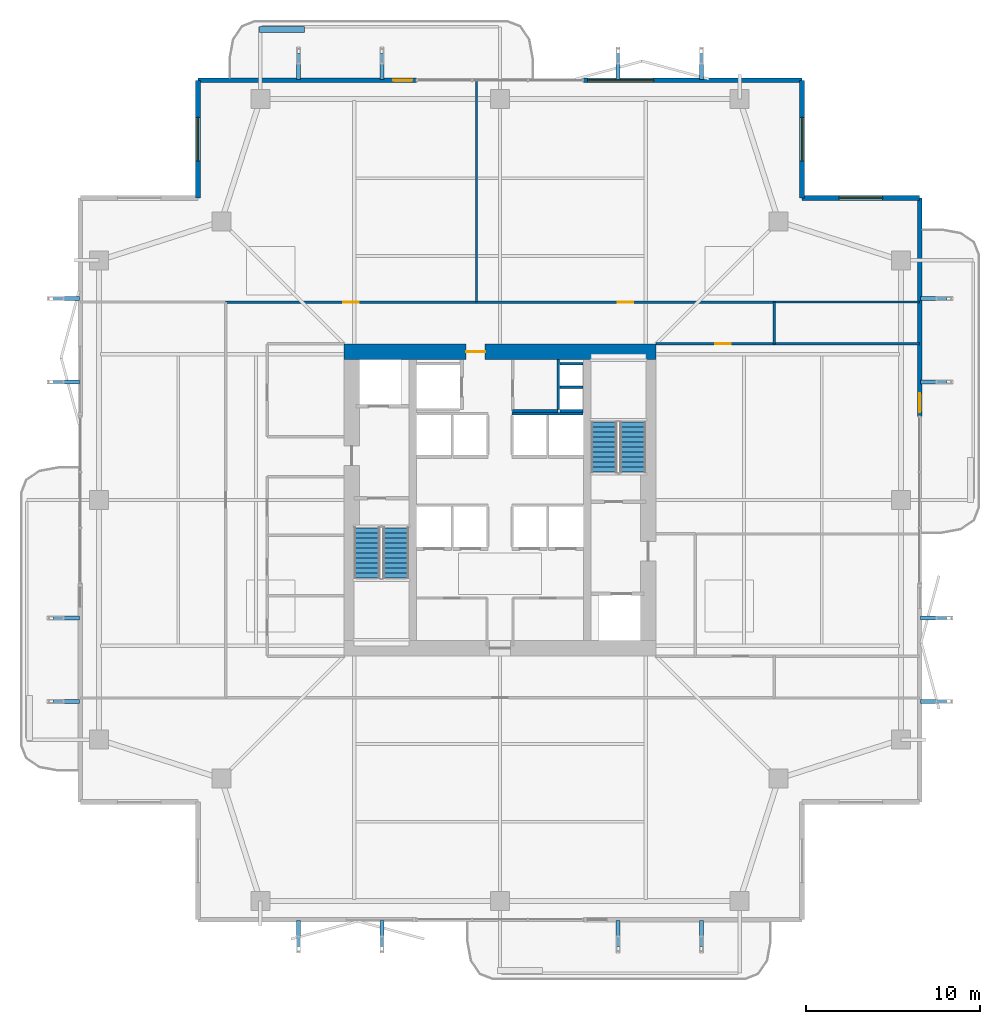
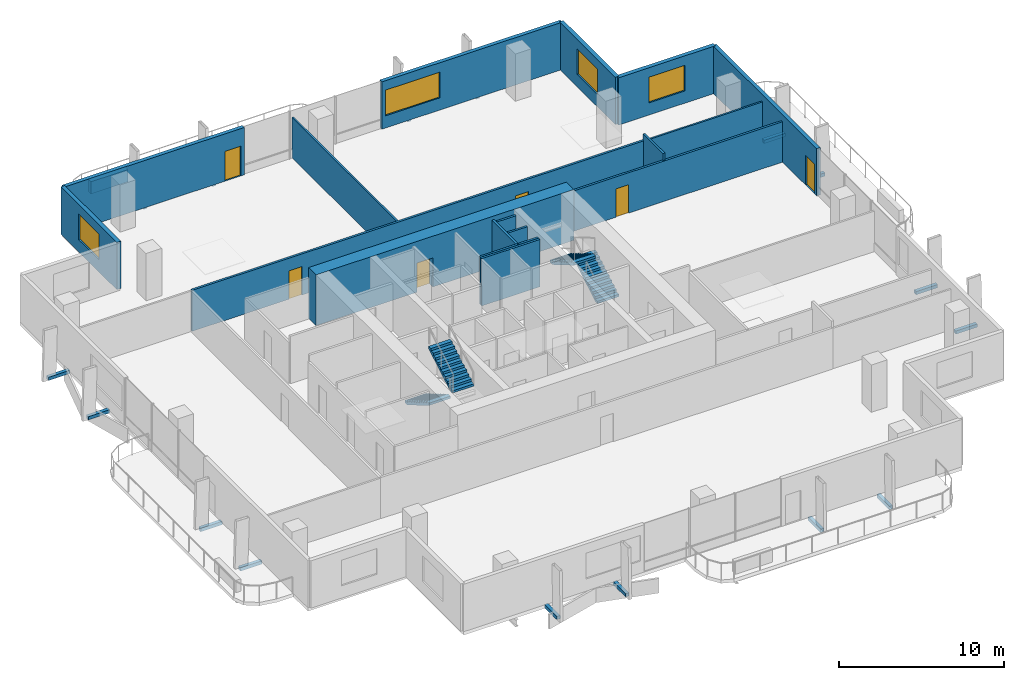
# One storey, part 20 of 23: 19 walls, 16 discrete accessories, 6 doors, 4 stair flights, 4 windows, 10 openings, 2 elements without a shape of their own.
"""IFC4 building model written with IfcOpenShell, lengths in metres."""

from ifc_helpers import new_model, si_unit, direction, frame, frame_2d, origin, origin_2d, place, context, subcontext, project, spatial, polyline, rectangle, outline, extrude, material, layer, layer_set, type_object, element, fill, aggregate, save


model = new_model("IFC4")

# Units and contexts
model_context = context("Model", 3, precision=1e-05, world=origin(), true_north=direction((0.0, 1.0)))
body_context = subcontext(model_context, "Body", "Model", "MODEL_VIEW")
ifc_project = project(units=[si_unit("LENGTHUNIT", "METRE"), si_unit("AREAUNIT", "SQUARE_METRE"), si_unit("VOLUMEUNIT", "CUBIC_METRE"), si_unit("PLANEANGLEUNIT", "RADIAN"), si_unit("MASSUNIT", "GRAM", prefix="KILO")], contexts=[model_context])

# Site, building, storey
site_placement = place(None, origin())
site = spatial("IfcSite", under=ifc_project, at=site_placement, CompositionType="ELEMENT")
building_placement = place(site_placement, origin())
building = spatial("IfcBuilding", under=site, at=building_placement, Name="Belovzor Exchange Tower", CompositionType="ELEMENT")
storey_placement = place(building_placement, frame((0.0, 0.0, 157.050048828125)))
storey = spatial("IfcBuildingStorey", under=building, at=storey_placement, Name="L38", CompositionType="ELEMENT", Elevation=157.050048828125)

# Walls
ifc_material_1 = material(Name="Acoustic Plasterboard on Galvanised Studs", Category="gypsum")
ifc_layer_1 = layer(ifc_material_1, 0.1201171875)
ifc_layer_set_1 = layer_set([ifc_layer_1], Name="Acoustic Plasterboard on Galvanised Studs")
wall_type_1 = type_object("IfcWallType", Name="Acoustic Double-Stud Partition Wall 120", PredefinedType="PARTITIONING", material=ifc_layer_set_1)
wall_1_placement = place(storey_placement, frame((27.449951171875, 40.199951171875, 0.0), z_axis=(0.0, 0.0, 1.0), x_axis=(0.0, 1.0, 0.0)))
element("IfcWall", 1, at=wall_1_placement, inside=storey, type_object=wall_type_1, Name="W-P120 Partition Wall W-L38-NDIV-1", PredefinedType="PARTITIONING", context=body_context, shape_type="SweptSolid", body=[
    extrude(rectangle(XDim=12.77001953125, YDim=0.1201171875, at=frame_2d((6.385009765625, 0.0))), origin(), (0.0, 0.0, 1.0), 2.97998046875),
])
wall_2_placement = place(storey_placement, frame((44.60009765625, 40.199951171875, 0.0), z_axis=(0.0, 0.0, 1.0), x_axis=(1.0, 0.0, 0.0)))
element("IfcWall", 2, at=wall_2_placement, inside=storey, type_object=wall_type_1, Name="W-P120 Partition Wall W-L38-END-NE", PredefinedType="PARTITIONING", context=body_context, shape_type="SweptSolid", body=[
    extrude(rectangle(XDim=8.369873046875, YDim=0.1201171875, at=frame_2d((4.18505859375, 0.0))), origin(), (0.0, 0.0, 1.0), 2.97998046875),
])
ifc_material_2 = material(Name="Fire-Rated Gypsum Block and Mineral Wool", Category="gypsum")
ifc_layer_2 = layer(ifc_material_2, 0.14990234375)
ifc_layer_set_2 = layer_set([ifc_layer_2], Name="Fire-Rated Gypsum Block and Mineral Wool")
wall_type_2 = type_object("IfcWallType", Name="Fire-Rated Gypsum Block Corridor Wall 150", PredefinedType="PARTITIONING", material=ifc_layer_set_2)
wall_3_placement = place(storey_placement, frame((29.52490234375, 33.925048828125, 0.0), z_axis=(0.0, 0.0, 1.0), x_axis=(1.0, 0.0, 0.0)))
element("IfcWall", 3, at=wall_3_placement, inside=storey, type_object=wall_type_2, Name="W-P150 Partition Wall W-CRV-L38-S", PredefinedType="PARTITIONING", context=body_context, shape_type="SweptSolid", body=[
    extrude(rectangle(XDim=2.625, YDim=0.14990234375, at=frame_2d((1.3125, 0.0))), origin(), (0.0, 0.0, 1.0), 3.494873046875),
])
wall_4_placement = place(storey_placement, frame((44.60009765625, 37.800048828125, 0.0), z_axis=(0.0, 0.0, 1.0), x_axis=(0.0, 1.0, 0.0)))
element("IfcWall", 4, at=wall_4_placement, inside=storey, type_object=wall_type_2, Name="W-P150 Partition Wall W-L38-END-EN", PredefinedType="PARTITIONING", context=body_context, shape_type="SweptSolid", body=[
    extrude(rectangle(XDim=2.39990234375, YDim=0.14990234375, at=frame_2d((1.199951171875, 0.0))), origin(), (0.0, 0.0, 1.0), 3.494873046875),
])

# Wall, opening, door
wall_5_placement = place(storey_placement, frame((37.800048828125, 37.800048828125, 0.0), z_axis=(0.0, 0.0, 1.0), x_axis=(1.0, 0.0, 0.0)))
wall_5 = element("IfcWall", 5, at=wall_5_placement, inside=storey, type_object=wall_type_2, Name="W-P150 Partition Wall W-L38-CN-IN", PredefinedType="PARTITIONING", context=body_context, shape_type="SweptSolid", body=[
    extrude(rectangle(XDim=15.169921875, YDim=0.14990234375, at=frame_2d((7.5849609375, 0.0))), origin(), (0.0, 0.0, 1.0), 2.97998046875),
])
opening_1_placement = place(wall_5_placement, frame((3.39990234375, 0.0, 0.0)))
opening_1 = element("IfcOpeningElement", 6, at=opening_1_placement, cuts=wall_5, Name="Opening D-INT-090", PredefinedType="OPENING", context=body_context, shape_type="SweptSolid", body=[
    extrude(rectangle(XDim=0.89990234375, YDim=2.10009765625, at=frame_2d((0.449951171875, 1.050048828125))), frame((0.0, 0.0849609375, 0.0), z_axis=(0.0, -1.0, 0.0), x_axis=(1.0, 0.0, 0.0)), (0.0, 0.0, 1.0), 0.169921875),
])
ifc_material_3 = material(Name="Veneered Hardwood Acoustic Leaf", Category="wood")
door_type_1 = type_object("IfcDoorType", Name="Trading Suite Acoustic Single Door 900x2100", OperationType="NOTDEFINED", PredefinedType="DOOR", material=ifc_material_3)
door_1_placement = place(opening_1_placement, origin())
door_1 = element("IfcDoor", 7, at=door_1_placement, inside=storey, type_object=door_type_1, Name="D-INT-090 Trading Suite Acoustic Single Door 900x2100", OperationType="SINGLE_SWING_RIGHT", OverallHeight=2.10009765625, OverallWidth=0.89990234375, PredefinedType="DOOR", context=body_context, shape_type="SweptSolid", body=[
    extrude(rectangle(XDim=0.89990234375, YDim=2.10009765625, at=frame_2d((0.449951171875, 1.050048828125))), frame((0.0, 0.02490234375, 0.0), z_axis=(0.0, -1.0, 0.0), x_axis=(1.0, 0.0, 0.0)), (0.0, 0.0, 1.0), 0.050048828125),
])
fill(opening_1, door_1)

# Wall, openings, doors
wall_6_placement = place(storey_placement, frame((13.0, 40.199951171875, 0.0), z_axis=(0.0, 0.0, 1.0), x_axis=(1.0, 0.0, 0.0)))
wall_6 = element("IfcWall", 8, at=wall_6_placement, inside=storey, type_object=wall_type_2, Name="W-P150 Partition Wall W-L38-CN", PredefinedType="PARTITIONING", context=body_context, shape_type="SweptSolid", body=[
    extrude(rectangle(XDim=31.60009765625, YDim=0.14990234375, at=frame_2d((15.800048828125, 0.0))), origin(), (0.0, 0.0, 1.0), 3.030029296875),
])
opening_2_placement = place(wall_6_placement, frame((6.77490234375, 0.0, 0.0)))
opening_2 = element("IfcOpeningElement", 9, at=opening_2_placement, cuts=wall_6, Name="Opening D-INT-090", PredefinedType="OPENING", context=body_context, shape_type="SweptSolid", body=[
    extrude(rectangle(XDim=0.89990234375, YDim=2.10009765625, at=frame_2d((0.449951171875, 1.050048828125))), frame((0.0, 0.0849609375, 0.0), z_axis=(0.0, -1.0, 0.0), x_axis=(1.0, 0.0, 0.0)), (0.0, 0.0, 1.0), 0.169921875),
])
opening_3_placement = place(wall_6_placement, frame((22.574951171875, 0.0, 0.0)))
opening_3 = element("IfcOpeningElement", 10, at=opening_3_placement, cuts=wall_6, Name="Opening D-INT-090", PredefinedType="OPENING", context=body_context, shape_type="SweptSolid", body=[
    extrude(rectangle(XDim=0.89990234375, YDim=2.10009765625, at=frame_2d((0.449951171875, 1.050048828125))), frame((0.0, 0.0849609375, 0.0), z_axis=(0.0, -1.0, 0.0), x_axis=(1.0, 0.0, 0.0)), (0.0, 0.0, 1.0), 0.169921875),
])
door_2_placement = place(opening_2_placement, origin())
door_2 = element("IfcDoor", 11, at=door_2_placement, inside=storey, type_object=door_type_1, Name="D-INT-090 Trading Suite Acoustic Single Door 900x2100", OperationType="SINGLE_SWING_RIGHT", OverallHeight=2.10009765625, OverallWidth=0.89990234375, PredefinedType="DOOR", context=body_context, shape_type="SweptSolid", body=[
    extrude(rectangle(XDim=0.89990234375, YDim=2.10009765625, at=frame_2d((0.449951171875, 1.050048828125))), frame((0.0, 0.02490234375, 0.0), z_axis=(0.0, -1.0, 0.0), x_axis=(1.0, 0.0, 0.0)), (0.0, 0.0, 1.0), 0.050048828125),
])
fill(opening_2, door_2)
door_3_placement = place(opening_3_placement, origin())
door_3 = element("IfcDoor", 12, at=door_3_placement, inside=storey, type_object=door_type_1, Name="D-INT-090 Trading Suite Acoustic Single Door 900x2100", OperationType="SINGLE_SWING_LEFT", OverallHeight=2.10009765625, OverallWidth=0.89990234375, PredefinedType="DOOR", context=body_context, shape_type="SweptSolid", body=[
    extrude(rectangle(XDim=0.89990234375, YDim=2.10009765625, at=frame_2d((0.449951171875, 1.050048828125))), frame((0.0, 0.02490234375, 0.0), z_axis=(0.0, -1.0, 0.0), x_axis=(1.0, 0.0, 0.0)), (0.0, 0.0, 1.0), 0.050048828125),
])
fill(opening_3, door_3)

# Wall, opening, window
ifc_material_4 = material(Name="Precast concrete C40/50", Category="concrete")
ifc_layer_3 = layer(ifc_material_4, 0.280029296875)
ifc_layer_set_3 = layer_set([ifc_layer_3], Name="Precast concrete C40/50")
wall_type_3 = type_object("IfcWallType", Name="Precast Concrete Notched Corner Frame Wall 280", PredefinedType="SOLIDWALL", material=ifc_layer_set_3)
wall_7_placement = place(storey_placement, frame((11.39990234375, 46.199951171875, 0.0), z_axis=(0.0, 0.0, 1.0), x_axis=(0.0, 1.0, 0.0)))
wall_7 = element("IfcWall", 13, at=wall_7_placement, inside=storey, type_object=wall_type_3, Name="W-CRN280 Precast Concrete Notched Corner Frame Wall 280 L38", PredefinedType="SOLIDWALL", context=body_context, shape_type="SweptSolid", body=[
    extrude(rectangle(XDim=6.77001953125, YDim=0.280029296875, at=frame_2d((3.385009765625, 0.0))), origin(), (0.0, 0.0, 1.0), 3.494873046875),
])
opening_4_placement = place(wall_7_placement, frame((2.135009765625, 0.0, 0.89990234375)))
opening_4 = element("IfcOpeningElement", 14, at=opening_4_placement, cuts=wall_7, Name="Opening WN-CRN250", PredefinedType="OPENING", context=body_context, shape_type="SweptSolid", body=[
    extrude(rectangle(XDim=2.5, YDim=1.89990234375, at=frame_2d((1.25, 0.949951171875))), frame((0.0, 0.14990234375, 0.0), z_axis=(0.0, -1.0, 0.0), x_axis=(1.0, 0.0, 0.0)), (0.0, 0.0, 1.0), 0.300048828125),
])
ifc_material_5 = material(Name="Thermally Broken Aluminium and Triple Glazing", Category="aluminium")
window_type_1 = type_object("IfcWindowType", Name="Streamline Moderne Corner Wrap Ribbon Window 2500x1900", PartitioningType="SINGLE_PANEL", PredefinedType="WINDOW", material=ifc_material_5)
window_1_placement = place(opening_4_placement, origin())
window_1 = element("IfcWindow", 15, at=window_1_placement, inside=storey, type_object=window_type_1, Name="WN-CRN250 Streamline Moderne Corner Wrap Ribbon Window 2500x1900", OverallHeight=1.89990234375, OverallWidth=2.5, PartitioningType="SINGLE_PANEL", PredefinedType="WINDOW", context=body_context, shape_type="SweptSolid", body=[
    extrude(rectangle(XDim=2.5, YDim=1.89990234375, at=frame_2d((1.25, 0.949951171875))), frame((0.0, 0.030029296875, 0.0), z_axis=(0.0, -1.0, 0.0), x_axis=(1.0, 0.0, 0.0)), (0.0, 0.0, 1.0), 0.06005859375),
])
fill(opening_4, window_1)

wall_8_placement = place(storey_placement, frame((46.199951171875, 52.969970703125, 0.0), z_axis=(0.0, 0.0, 1.0), x_axis=(0.0, -1.0, 0.0)))
wall_8 = element("IfcWall", 16, at=wall_8_placement, inside=storey, type_object=wall_type_3, Name="W-CRN280 Precast Concrete Notched Corner Frame Wall 280 L38", PredefinedType="SOLIDWALL", context=body_context, shape_type="SweptSolid", body=[
    extrude(rectangle(XDim=6.77001953125, YDim=0.280029296875, at=frame_2d((3.385009765625, 0.0))), origin(), (0.0, 0.0, 1.0), 3.494873046875),
])
opening_5_placement = place(wall_8_placement, frame((2.135009765625, 0.0, 0.89990234375)))
opening_5 = element("IfcOpeningElement", 17, at=opening_5_placement, cuts=wall_8, Name="Opening WN-CRN250", PredefinedType="OPENING", context=body_context, shape_type="SweptSolid", body=[
    extrude(rectangle(XDim=2.5, YDim=1.89990234375, at=frame_2d((1.25, 0.949951171875))), frame((0.0, 0.14990234375, 0.0), z_axis=(0.0, -1.0, 0.0), x_axis=(1.0, 0.0, 0.0)), (0.0, 0.0, 1.0), 0.300048828125),
])
window_2_placement = place(opening_5_placement, origin())
window_2 = element("IfcWindow", 18, at=window_2_placement, inside=storey, type_object=window_type_1, Name="WN-CRN250 Streamline Moderne Corner Wrap Ribbon Window 2500x1900", OverallHeight=1.89990234375, OverallWidth=2.5, PartitioningType="SINGLE_PANEL", PredefinedType="WINDOW", context=body_context, shape_type="SweptSolid", body=[
    extrude(rectangle(XDim=2.5, YDim=1.89990234375, at=frame_2d((1.25, 0.949951171875))), frame((0.0, 0.030029296875, 0.0), z_axis=(0.0, -1.0, 0.0), x_axis=(1.0, 0.0, 0.0)), (0.0, 0.0, 1.0), 0.06005859375),
])
fill(opening_5, window_2)

wall_9_placement = place(storey_placement, frame((46.199951171875, 46.199951171875, 0.0), z_axis=(0.0, 0.0, 1.0), x_axis=(1.0, 0.0, 0.0)))
wall_9 = element("IfcWall", 19, at=wall_9_placement, inside=storey, type_object=wall_type_3, Name="W-CRN280 Precast Concrete Notched Corner Frame Wall 280 L38", PredefinedType="SOLIDWALL", context=body_context, shape_type="SweptSolid", body=[
    extrude(rectangle(XDim=6.77001953125, YDim=0.280029296875, at=frame_2d((3.385009765625, 0.0))), origin(), (0.0, 0.0, 1.0), 3.494873046875),
])
opening_6_placement = place(wall_9_placement, frame((2.135009765625, 0.0, 0.89990234375)))
opening_6 = element("IfcOpeningElement", 20, at=opening_6_placement, cuts=wall_9, Name="Opening WN-CRN250", PredefinedType="OPENING", context=body_context, shape_type="SweptSolid", body=[
    extrude(rectangle(XDim=2.5, YDim=1.89990234375, at=frame_2d((1.25, 0.949951171875))), frame((0.0, 0.14990234375, 0.0), z_axis=(0.0, -1.0, 0.0), x_axis=(1.0, 0.0, 0.0)), (0.0, 0.0, 1.0), 0.300048828125),
])
window_3_placement = place(opening_6_placement, origin())
window_3 = element("IfcWindow", 21, at=window_3_placement, inside=storey, type_object=window_type_1, Name="WN-CRN250 Streamline Moderne Corner Wrap Ribbon Window 2500x1900", OverallHeight=1.89990234375, OverallWidth=2.5, PartitioningType="SINGLE_PANEL", PredefinedType="WINDOW", context=body_context, shape_type="SweptSolid", body=[
    extrude(rectangle(XDim=2.5, YDim=1.89990234375, at=frame_2d((1.25, 0.949951171875))), frame((0.0, 0.030029296875, 0.0), z_axis=(0.0, -1.0, 0.0), x_axis=(1.0, 0.0, 0.0)), (0.0, 0.0, 1.0), 0.06005859375),
])
fill(opening_6, window_3)

# Wall, opening, door
ifc_material_6 = material(Name="Precast concrete C40/50", Category="concrete")
ifc_layer_4 = layer(ifc_material_6, 0.260009765625)
ifc_layer_set_4 = layer_set([ifc_layer_4], Name="Precast concrete C40/50")
wall_type_4 = type_object("IfcWallType", Name="Precast Concrete Perimeter Loggia Frame Wall 260", PredefinedType="SOLIDWALL", material=ifc_layer_set_4)
wall_10_placement = place(storey_placement, frame((11.39990234375, 52.969970703125, 0.0), z_axis=(0.0, 0.0, 1.0), x_axis=(1.0, 0.0, 0.0)))
wall_10 = element("IfcWall", 22, at=wall_10_placement, inside=storey, type_object=wall_type_4, Name="W-EXT260 Precast Concrete Perimeter Loggia Frame Wall 260 L38", PredefinedType="SOLIDWALL", context=body_context, shape_type="SweptSolid", body=[
    extrude(rectangle(XDim=12.60009765625, YDim=0.260009765625, at=frame_2d((6.300048828125, 0.0))), origin(), (0.0, 0.0, 1.0), 3.494873046875),
])
opening_7_placement = place(wall_10_placement, frame((11.25, 0.0, 0.0)))
opening_7 = element("IfcOpeningElement", 23, at=opening_7_placement, cuts=wall_10, Name="Opening D-BAL110", PredefinedType="OPENING", context=body_context, shape_type="SweptSolid", body=[
    extrude(rectangle(XDim=1.10009765625, YDim=2.199951171875, at=frame_2d((0.550048828125, 1.10009765625))), frame((0.0, 0.139892578125, 0.0), z_axis=(0.0, -1.0, 0.0), x_axis=(1.0, 0.0, 0.0)), (0.0, 0.0, 1.0), 0.280029296875),
])
ifc_material_7 = material(Name="Thermally Broken Anodised Aluminium and Laminated Glass", Category="aluminium")
door_type_2 = type_object("IfcDoorType", Name="Planted Loggia Terrace Glazed Door 1100x2200", OperationType="SINGLE_SWING_LEFT", PredefinedType="DOOR", material=ifc_material_7)
door_4_placement = place(opening_7_placement, origin())
door_4 = element("IfcDoor", 24, at=door_4_placement, inside=storey, type_object=door_type_2, Name="D-BAL110 Balcony Terrace Door L38 N", OperationType="SINGLE_SWING_RIGHT", OverallHeight=2.199951171875, OverallWidth=1.10009765625, PredefinedType="DOOR", context=body_context, shape_type="SweptSolid", body=[
    extrude(rectangle(XDim=1.10009765625, YDim=2.199951171875, at=frame_2d((0.550048828125, 1.10009765625))), frame((0.0, 0.02490234375, 0.0), z_axis=(0.0, -1.0, 0.0), x_axis=(1.0, 0.0, 0.0)), (0.0, 0.0, 1.0), 0.050048828125),
])
fill(opening_7, door_4)

# Wall, opening, window
wall_11_placement = place(storey_placement, frame((33.60009765625, 52.969970703125, 0.0), z_axis=(0.0, 0.0, 1.0), x_axis=(1.0, 0.0, 0.0)))
wall_11 = element("IfcWall", 25, at=wall_11_placement, inside=storey, type_object=wall_type_4, Name="W-EXT260 Precast Concrete Perimeter Loggia Frame Wall 260 L38", PredefinedType="SOLIDWALL", context=body_context, shape_type="SweptSolid", body=[
    extrude(rectangle(XDim=12.599853515625, YDim=0.260009765625, at=frame_2d((6.2998046875, 0.0))), origin(), (0.0, 0.0, 1.0), 3.494873046875),
])
opening_8_placement = place(wall_11_placement, frame((0.25, 0.0, 0.89990234375)))
opening_8 = element("IfcOpeningElement", 26, at=opening_8_placement, cuts=wall_11, Name="Opening WN-RIB380", PredefinedType="OPENING", context=body_context, shape_type="SweptSolid", body=[
    extrude(rectangle(XDim=3.800048828125, YDim=1.89990234375, at=frame_2d((1.89990234375, 0.949951171875))), frame((0.0, 0.139892578125, 0.0), z_axis=(0.0, -1.0, 0.0), x_axis=(1.0, 0.0, 0.0)), (0.0, 0.0, 1.0), 0.280029296875),
])
ifc_material_8 = material(Name="Thermally Broken Aluminium and Triple Glazing", Category="aluminium")
window_type_2 = type_object("IfcWindowType", Name="Streamline Moderne Horizontal Ribbon Window 3800x1900", PartitioningType="SINGLE_PANEL", PredefinedType="WINDOW", material=ifc_material_8)
window_4_placement = place(opening_8_placement, origin())
window_4 = element("IfcWindow", 27, at=window_4_placement, inside=storey, type_object=window_type_2, Name="WN-RIB380 Streamline Moderne Horizontal Ribbon Window 3800x1900", OverallHeight=1.89990234375, OverallWidth=3.800048828125, PartitioningType="SINGLE_PANEL", PredefinedType="WINDOW", context=body_context, shape_type="SweptSolid", body=[
    extrude(rectangle(XDim=3.800048828125, YDim=1.89990234375, at=frame_2d((1.89990234375, 0.949951171875))), frame((0.0, 0.030029296875, 0.0), z_axis=(0.0, -1.0, 0.0), x_axis=(1.0, 0.0, 0.0)), (0.0, 0.0, 1.0), 0.06005859375),
])
fill(opening_8, window_4)

# Wall, opening, door
wall_12_placement = place(storey_placement, frame((52.969970703125, 46.199951171875, 0.0), z_axis=(0.0, 0.0, 1.0), x_axis=(0.0, -1.0, 0.0)))
wall_12 = element("IfcWall", 28, at=wall_12_placement, inside=storey, type_object=wall_type_4, Name="W-EXT260 Precast Concrete Perimeter Loggia Frame Wall 260 L38", PredefinedType="SOLIDWALL", context=body_context, shape_type="SweptSolid", body=[
    extrude(rectangle(XDim=12.599853515625, YDim=0.260009765625, at=frame_2d((6.2998046875, 0.0))), origin(), (0.0, 0.0, 1.0), 3.494873046875),
])
opening_9_placement = place(wall_12_placement, frame((11.25, 0.0, 0.0)))
opening_9 = element("IfcOpeningElement", 29, at=opening_9_placement, cuts=wall_12, Name="Opening D-BAL110", PredefinedType="OPENING", context=body_context, shape_type="SweptSolid", body=[
    extrude(rectangle(XDim=1.10009765625, YDim=2.199951171875, at=frame_2d((0.550048828125, 1.10009765625))), frame((0.0, 0.139892578125, 0.0), z_axis=(0.0, -1.0, 0.0), x_axis=(1.0, 0.0, 0.0)), (0.0, 0.0, 1.0), 0.280029296875),
])
door_5_placement = place(opening_9_placement, origin())
door_5 = element("IfcDoor", 30, at=door_5_placement, inside=storey, type_object=door_type_2, Name="D-BAL110 Balcony Terrace Door L38 E", OperationType="SINGLE_SWING_LEFT", OverallHeight=2.199951171875, OverallWidth=1.10009765625, PredefinedType="DOOR", context=body_context, shape_type="SweptSolid", body=[
    extrude(rectangle(XDim=1.10009765625, YDim=2.199951171875, at=frame_2d((0.550048828125, 1.10009765625))), frame((0.0, 0.02490234375, 0.0), z_axis=(0.0, -1.0, 0.0), x_axis=(1.0, 0.0, 0.0)), (0.0, 0.0, 1.0), 0.050048828125),
])
fill(opening_9, door_5)

# Walls
ifc_material_9 = material(Name="Precast concrete C40/50", Category="concrete")
ifc_layer_5 = layer(ifc_material_9, 0.35009765625)
ifc_layer_set_5 = layer_set([ifc_layer_5], Name="Precast concrete C40/50")
wall_type_5 = type_object("IfcWallType", Name="Precast Concrete Structural Tree Planter Trough 350", PredefinedType="PARAPET", material=ifc_layer_set_5)
wall_13_placement = place(storey_placement, frame((14.949951171875, 55.89990234375, 0.0), z_axis=(0.0, 0.0, 1.0), x_axis=(1.0, 0.0, 0.0)))
element("IfcWall", 31, at=wall_13_placement, inside=storey, type_object=wall_type_5, Name="PT-350 Precast Concrete Structural Tree Planter Trough 350 L38", PredefinedType="PARAPET", context=body_context, shape_type="SweptSolid", body=[
    extrude(rectangle(XDim=2.60009765625, YDim=0.35009765625, at=frame_2d((1.300048828125, 0.0))), origin(), (0.0, 0.0, 1.0), 0.89990234375),
])
ifc_material_10 = material(Name="Concrete C50/60", Category="concrete")
ifc_layer_6 = layer(ifc_material_10, 0.14990234375)
ifc_layer_set_6 = layer_set([ifc_layer_6], Name="Concrete C50/60")
wall_type_6 = type_object("IfcWallType", Name="Reinforced Concrete Core Riser Shear Wall 150", PredefinedType="SHEAR", material=ifc_layer_set_6)
wall_14_placement = place(storey_placement, frame((32.14990234375, 34.0, 0.0), z_axis=(0.0, 0.0, 1.0), x_axis=(0.0, 1.0, 0.0)))
element("IfcWall", 32, at=wall_14_placement, inside=storey, type_object=wall_type_6, Name="W-C150S Core Shaft Wall W-RSR-L38-E", PredefinedType="SHEAR", context=body_context, shape_type="SweptSolid", body=[
    extrude(rectangle(XDim=2.89990234375, YDim=0.14990234375, at=frame_2d((1.449951171875, 0.0))), origin(), (0.0, 0.0, 1.0), 3.494873046875),
])
for number, where, z_axis, x_axis, name in (
    (33, (32.25, 33.925048828125, 0.0), (0.0, 0.0, 1.0), (1.0, 0.0, 0.0), "W-C150S Core Shaft Wall W-RSR-L38-S"),
    (34, (32.25, 35.300048828125, 0.0), (0.0, 0.0, 1.0), (1.0, 0.0, 0.0), "W-C150S Core Shaft Wall W-RSR-L38-M"),
    (35, (32.25, 36.64990234375, 0.0), (0.0, 0.0, 1.0), (1.0, 0.0, 0.0), "W-C150S Core Shaft Wall W-RSR-L38-N"),
):
    element("IfcWall", number, at=place(storey_placement, frame(where, z_axis=z_axis, x_axis=x_axis)), inside=storey, type_object=wall_type_6, Name=name, PredefinedType="SHEAR", context=body_context, shape_type="SweptSolid", body=[
        extrude(rectangle(XDim=1.330078125, YDim=0.14990234375, at=frame_2d((0.6650390625, 0.0))), origin(), (0.0, 0.0, 1.0), 3.494873046875),
    ])
wall_15_placement = place(storey_placement, frame((29.5, 33.760009765625, 0.0), z_axis=(0.0, 0.0, 1.0), x_axis=(1.0, 0.0, 0.0)))
element("IfcWall", 36, at=wall_15_placement, inside=storey, type_object=wall_type_6, Name="W-C150S Core Shaft Wall W-SHB-L38-PLH-NE", PredefinedType="SHEAR", context=body_context, shape_type="SweptSolid", body=[
    extrude(rectangle(XDim=4.080078125, YDim=0.14990234375, at=frame_2d((2.0400390625, 0.0))), origin(), (0.0, 0.0, 1.0), 3.494873046875),
])

# Wall, opening, door
ifc_material_11 = material(Name="Concrete C60/75", Category="concrete")
ifc_layer_7 = layer(ifc_material_11, 0.89990234375)
ifc_layer_set_7 = layer_set([ifc_layer_7], Name="Concrete C60/75")
wall_type_7 = type_object("IfcWallType", Name="Reinforced Concrete Core Shear Wall 900", PredefinedType="SHEAR", material=ifc_layer_set_7)
wall_16_placement = place(storey_placement, frame((19.800048828125, 37.35009765625, 0.0), z_axis=(0.0, 0.0, 1.0), x_axis=(1.0, 0.0, 0.0)))
wall_16 = element("IfcWall", 37, at=wall_16_placement, inside=storey, type_object=wall_type_7, Name="CW-S090 Core Shear Wall L38 N", PredefinedType="SHEAR", context=body_context, shape_type="SweptSolid", body=[
    extrude(rectangle(XDim=18.0, YDim=0.89990234375, at=frame_2d((9.0, 0.0))), origin(), (0.0, 0.0, 1.0), 3.75),
])
opening_10_placement = place(wall_16_placement, frame((7.050048828125, 0.0, 0.0)))
opening_10 = element("IfcOpeningElement", 38, at=opening_10_placement, cuts=wall_16, Name="Opening D-FD90-110", PredefinedType="OPENING", context=body_context, shape_type="SweptSolid", body=[
    extrude(rectangle(XDim=1.10009765625, YDim=2.14990234375, at=frame_2d((0.550048828125, 1.074951171875))), frame((0.0, 0.4599609375, 0.0), z_axis=(0.0, -1.0, 0.0), x_axis=(1.0, 0.0, 0.0)), (0.0, 0.0, 1.0), 0.919921875),
])
ifc_material_12 = material(Name="Fire-Rated Galvanised Steel Leaf", Category="steel")
door_type_3 = type_object("IfcDoorType", Name="Protected Escape Vestibule Fire Door 1100x2150", OperationType="NOTDEFINED", PredefinedType="DOOR", material=ifc_material_12)
door_6_placement = place(opening_10_placement, origin())
door_6 = element("IfcDoor", 39, at=door_6_placement, inside=storey, type_object=door_type_3, Name="D-FD90-110 Protected Escape Vestibule Fire Door 1100x2150", OperationType="SINGLE_SWING_RIGHT", OverallHeight=2.14990234375, OverallWidth=1.10009765625, PredefinedType="DOOR", context=body_context, shape_type="SweptSolid", body=[
    extrude(rectangle(XDim=1.10009765625, YDim=2.14990234375, at=frame_2d((0.550048828125, 1.074951171875))), frame((0.0, 0.02490234375, 0.0), z_axis=(0.0, -1.0, 0.0), x_axis=(1.0, 0.0, 0.0)), (0.0, 0.0, 1.0), 0.050048828125),
])
fill(opening_10, door_6)

# Stair, stair flights
ifc_material_13 = material(Name="Concrete C40/50", Category="concrete")
stair_type = type_object("IfcStairType", Name="Reinforced Concrete Dogleg Escape Stair 1350", PredefinedType="HALF_TURN_STAIR", material=ifc_material_13)
stair_1_placement = place(storey_placement, origin())
stair_1 = element("IfcStair", 40, at=stair_1_placement, inside=storey, type_object=stair_type, Name="L38 ST-1", PredefinedType="HALF_TURN_STAIR")
ifc_material_14 = material(Name="Concrete C40/50", Category="concrete")
stair_flight_type = type_object("IfcStairFlightType", Name="Reinforced Concrete Stair Flight 1350", PredefinedType="STRAIGHT", material=ifc_material_14)
stair_flight_1_placement = place(storey_placement, frame((21.14990234375, 27.199951171875, 0.0), z_axis=(0.0, 0.0, 1.0), x_axis=(0.0, -1.0, 0.0)))
stair_flight_1 = element("IfcStairFlight", 41, at=stair_flight_1_placement, type_object=stair_flight_type, Name="ST-1 flight 1", NumberOfRisers=11, NumberOfTreads=10, PredefinedType="STRAIGHT", RiserHeight=0.170454545, TreadLength=0.29, context=body_context, shape_type="SweptSolid", body=[
    extrude(outline(polyline([(0.0, 0.0), (0.0, 0.17041015625), (0.2900390625, 0.17041015625), (0.2900390625, 0.3408203125), (0.580078125, 0.3408203125), (0.580078125, 0.511474609375), (0.8701171875, 0.511474609375), (0.8701171875, 0.681884765625), (1.159912109375, 0.681884765625), (1.159912109375, 0.852294921875), (1.449951171875, 0.852294921875), (1.449951171875, 1.022705078125), (1.739990234375, 1.022705078125), (1.739990234375, 1.193115234375), (2.030029296875, 1.193115234375), (2.030029296875, 1.363525390625), (2.320068359375, 1.363525390625), (2.320068359375, 1.5341796875), (2.610107421875, 1.5341796875), (2.610107421875, 1.70458984375), (2.89990234375, 1.70458984375), (2.89990234375, 1.875), (2.89990234375, 1.53076171875), (0.2958984375, 0.0), (0.0, 0.0)])), frame((0.0, 0.75, 0.0), z_axis=(0.0, -1.0, 0.0), x_axis=(1.0, 0.0, 0.0)), (0.0, 0.0, 1.0), 1.5),
])
stair_flight_2_placement = place(storey_placement, frame((22.800048828125, 24.300048828125, 1.875), z_axis=(0.0, 0.0, 1.0), x_axis=(0.0, 1.0, 0.0)))
stair_flight_2 = element("IfcStairFlight", 42, at=stair_flight_2_placement, type_object=stair_flight_type, Name="ST-1 flight 2", NumberOfRisers=11, NumberOfTreads=10, PredefinedType="STRAIGHT", RiserHeight=0.170454545, TreadLength=0.29, context=body_context, shape_type="SweptSolid", body=[
    extrude(outline(polyline([(0.0, 0.0), (0.0, 0.17041015625), (0.2900390625, 0.17041015625), (0.2900390625, 0.3408203125), (0.580078125, 0.3408203125), (0.580078125, 0.511474609375), (0.8701171875, 0.511474609375), (0.8701171875, 0.681884765625), (1.159912109375, 0.681884765625), (1.159912109375, 0.852294921875), (1.449951171875, 0.852294921875), (1.449951171875, 1.022705078125), (1.739990234375, 1.022705078125), (1.739990234375, 1.193115234375), (2.030029296875, 1.193115234375), (2.030029296875, 1.363525390625), (2.320068359375, 1.363525390625), (2.320068359375, 1.5341796875), (2.610107421875, 1.5341796875), (2.610107421875, 1.70458984375), (2.89990234375, 1.70458984375), (2.89990234375, 1.875), (2.89990234375, 1.53076171875), (0.2958984375, 0.0), (0.0, 0.0)])), frame((0.0, 0.75, 0.0), z_axis=(0.0, -1.0, 0.0), x_axis=(1.0, 0.0, 0.0)), (0.0, 0.0, 1.0), 1.5),
])
aggregate(stair_1, [stair_flight_1, stair_flight_2])

stair_2_placement = place(storey_placement, origin())
stair_2 = element("IfcStair", 43, at=stair_2_placement, inside=storey, type_object=stair_type, Name="L38 ST-2", PredefinedType="HALF_TURN_STAIR")
stair_flight_3_placement = place(storey_placement, frame((36.449951171875, 30.39990234375, 0.0), z_axis=(0.0, 0.0, 1.0), x_axis=(0.0, 1.0, 0.0)))
stair_flight_3 = element("IfcStairFlight", 44, at=stair_flight_3_placement, type_object=stair_flight_type, Name="ST-2 flight 1", NumberOfRisers=11, NumberOfTreads=10, PredefinedType="STRAIGHT", RiserHeight=0.170454545, TreadLength=0.29, context=body_context, shape_type="SweptSolid", body=[
    extrude(outline(polyline([(0.0, 0.0), (0.0, 0.17041015625), (0.2900390625, 0.17041015625), (0.2900390625, 0.3408203125), (0.580078125, 0.3408203125), (0.580078125, 0.511474609375), (0.8701171875, 0.511474609375), (0.8701171875, 0.681884765625), (1.159912109375, 0.681884765625), (1.159912109375, 0.852294921875), (1.449951171875, 0.852294921875), (1.449951171875, 1.022705078125), (1.739990234375, 1.022705078125), (1.739990234375, 1.193115234375), (2.030029296875, 1.193115234375), (2.030029296875, 1.363525390625), (2.320068359375, 1.363525390625), (2.320068359375, 1.5341796875), (2.610107421875, 1.5341796875), (2.610107421875, 1.70458984375), (2.89990234375, 1.70458984375), (2.89990234375, 1.875), (2.89990234375, 1.53076171875), (0.2958984375, 0.0), (0.0, 0.0)])), frame((0.0, 0.75, 0.0), z_axis=(0.0, -1.0, 0.0), x_axis=(1.0, 0.0, 0.0)), (0.0, 0.0, 1.0), 1.5),
])
stair_flight_4_placement = place(storey_placement, frame((34.800048828125, 33.300048828125, 1.875), z_axis=(0.0, 0.0, 1.0), x_axis=(0.0, -1.0, 0.0)))
stair_flight_4 = element("IfcStairFlight", 45, at=stair_flight_4_placement, type_object=stair_flight_type, Name="ST-2 flight 2", NumberOfRisers=11, NumberOfTreads=10, PredefinedType="STRAIGHT", RiserHeight=0.170454545, TreadLength=0.29, context=body_context, shape_type="SweptSolid", body=[
    extrude(outline(polyline([(0.0, 0.0), (0.0, 0.17041015625), (0.2900390625, 0.17041015625), (0.2900390625, 0.3408203125), (0.580078125, 0.3408203125), (0.580078125, 0.511474609375), (0.8701171875, 0.511474609375), (0.8701171875, 0.681884765625), (1.159912109375, 0.681884765625), (1.159912109375, 0.852294921875), (1.449951171875, 0.852294921875), (1.449951171875, 1.022705078125), (1.739990234375, 1.022705078125), (1.739990234375, 1.193115234375), (2.030029296875, 1.193115234375), (2.030029296875, 1.363525390625), (2.320068359375, 1.363525390625), (2.320068359375, 1.5341796875), (2.610107421875, 1.5341796875), (2.610107421875, 1.70458984375), (2.89990234375, 1.70458984375), (2.89990234375, 1.875), (2.89990234375, 1.53076171875), (0.2958984375, 0.0), (0.0, 0.0)])), frame((0.0, 0.75, 0.0), z_axis=(0.0, -1.0, 0.0), x_axis=(1.0, 0.0, 0.0)), (0.0, 0.0, 1.0), 1.5),
])
aggregate(stair_2, [stair_flight_3, stair_flight_4])

# Discrete accessories
ifc_material_15 = material(Name="Stainless Steel Grade 316", Category="steel")
ifc_layer_8 = layer(ifc_material_15, 0.179931640625)
ifc_layer_set_8 = layer_set([ifc_layer_8], Name="Stainless Steel Grade 316")
discrete_accessory_type = type_object("IfcDiscreteAccessoryType", Name="Stainless Steel Facade Outrigger Fixing Bracket", PredefinedType="BRACKET", material=ifc_layer_set_8)
for number, where, z_axis, x_axis, name in (
    (46, (17.199951171875, 3.8291015625, -0.2470703125), (0.0, 0.0, 1.0), (0.0, 1.0, 0.0), "BRK-FIN1 Sweeping Fin Outrigger Bracket L38 S1"),
    (47, (17.199951171875, 53.77197265625, -0.2470703125), (0.0, 0.0, 1.0), (0.0, 1.0, 0.0), "BRK-FIN1 Sweeping Fin Outrigger Bracket L38 N1"),
    (48, (3.8291015625, 17.199951171875, -0.2470703125), (0.0, 0.0, 1.0), (1.0, 0.0, 0.0), "BRK-FIN1 Sweeping Fin Outrigger Bracket L38 W1"),
    (49, (53.77197265625, 17.199951171875, -0.2470703125), (0.0, 0.0, 1.0), (1.0, 0.0, 0.0), "BRK-FIN1 Sweeping Fin Outrigger Bracket L38 E1"),
    (50, (22.0, 3.8291015625, -0.2470703125), (0.0, 0.0, 1.0), (0.0, 1.0, 0.0), "BRK-FIN1 Sweeping Fin Outrigger Bracket L38 S2"),
    (51, (22.0, 53.77197265625, -0.2470703125), (0.0, 0.0, 1.0), (0.0, 1.0, 0.0), "BRK-FIN1 Sweeping Fin Outrigger Bracket L38 N2"),
    (52, (3.8291015625, 22.0, -0.2470703125), (0.0, 0.0, 1.0), (1.0, 0.0, 0.0), "BRK-FIN1 Sweeping Fin Outrigger Bracket L38 W2"),
    (53, (53.77197265625, 22.0, -0.2470703125), (0.0, 0.0, 1.0), (1.0, 0.0, 0.0), "BRK-FIN1 Sweeping Fin Outrigger Bracket L38 E2"),
    (54, (35.60009765625, 3.8291015625, -0.2470703125), (0.0, 0.0, 1.0), (0.0, 1.0, 0.0), "BRK-FIN1 Sweeping Fin Outrigger Bracket L38 S3"),
    (55, (35.60009765625, 53.77197265625, -0.2470703125), (0.0, 0.0, 1.0), (0.0, 1.0, 0.0), "BRK-FIN1 Sweeping Fin Outrigger Bracket L38 N3"),
    (56, (3.8291015625, 35.60009765625, -0.2470703125), (0.0, 0.0, 1.0), (1.0, 0.0, 0.0), "BRK-FIN1 Sweeping Fin Outrigger Bracket L38 W3"),
    (57, (53.77197265625, 35.60009765625, -0.2470703125), (0.0, 0.0, 1.0), (1.0, 0.0, 0.0), "BRK-FIN1 Sweeping Fin Outrigger Bracket L38 E3"),
    (58, (40.39990234375, 3.8291015625, -0.2470703125), (0.0, 0.0, 1.0), (0.0, 1.0, 0.0), "BRK-FIN1 Sweeping Fin Outrigger Bracket L38 S4"),
    (59, (40.39990234375, 53.77197265625, -0.2470703125), (0.0, 0.0, 1.0), (0.0, 1.0, 0.0), "BRK-FIN1 Sweeping Fin Outrigger Bracket L38 N4"),
    (60, (3.8291015625, 40.39990234375, -0.2470703125), (0.0, 0.0, 1.0), (1.0, 0.0, 0.0), "BRK-FIN1 Sweeping Fin Outrigger Bracket L38 W4"),
    (61, (53.77197265625, 40.39990234375, -0.2470703125), (0.0, 0.0, 1.0), (1.0, 0.0, 0.0), "BRK-FIN1 Sweeping Fin Outrigger Bracket L38 E4"),
):
    element("IfcDiscreteAccessory", number, at=place(storey_placement, frame(where, z_axis=z_axis, x_axis=x_axis)), inside=storey, type_object=discrete_accessory_type, Name=name, PredefinedType="BRACKET", context=body_context, shape_type="SweptSolid", body=[
        extrude(rectangle(XDim=1.5029296875, YDim=0.239990234375, at=origin_2d()), origin(), (0.0, 0.0, 1.0), 0.239990234375),
    ])

save(model, "model.ifc")
